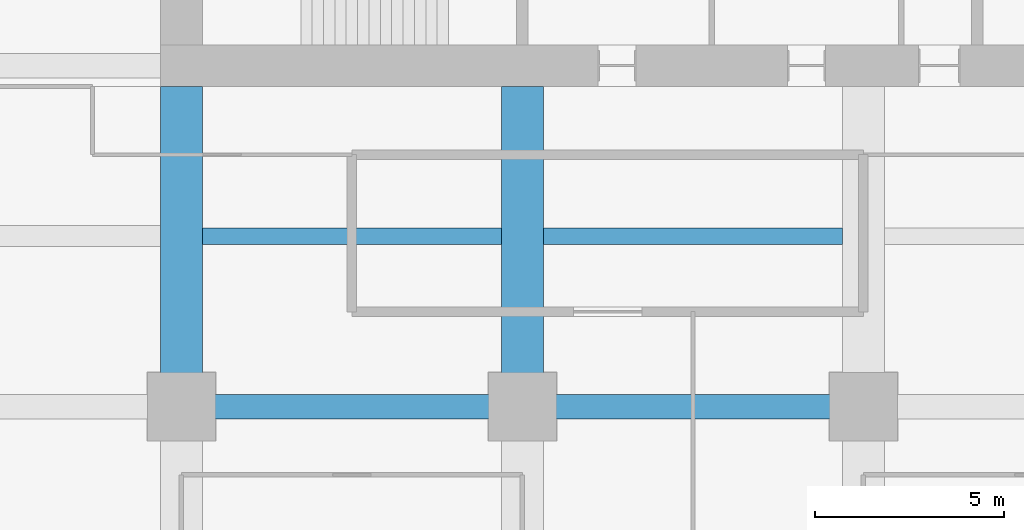
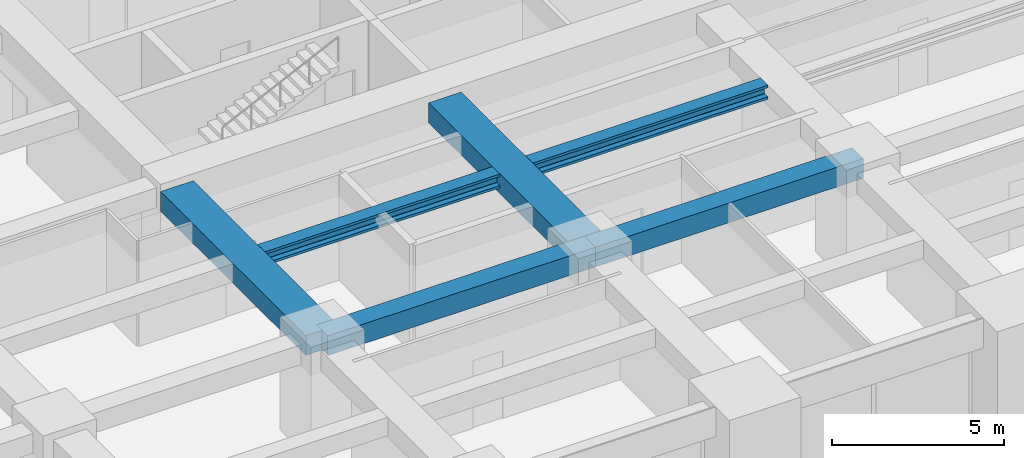
# One storey, part 8 of 39: 6 beams.
"""IFC4 building model written with IfcOpenShell, lengths in metres."""

from ifc_helpers import new_model, si_unit, direction, frame, origin, origin_2d, place, context, subcontext, project, spatial, rectangle, i_section, extrude, material, material_profile, profile_set, type_object, element, save


model = new_model("IFC4")

# Units and contexts
model_context = context("Model", 3, precision=1e-05, world=origin(), true_north=direction((0.0, 1.0)))
body_context = subcontext(model_context, "Body", "Model", "MODEL_VIEW")
ifc_project = project(units=[si_unit("LENGTHUNIT", "METRE"), si_unit("AREAUNIT", "SQUARE_METRE"), si_unit("VOLUMEUNIT", "CUBIC_METRE"), si_unit("PLANEANGLEUNIT", "RADIAN"), si_unit("MASSUNIT", "GRAM", prefix="KILO")], contexts=[model_context])

# Site, building, storey
site_placement = place(None, origin())
site = spatial("IfcSite", under=ifc_project, at=site_placement, CompositionType="ELEMENT")
building_placement = place(site_placement, origin())
building = spatial("IfcBuilding", under=site, at=building_placement, Name="Zorevar Civic Tower", CompositionType="ELEMENT")
storey_placement = place(building_placement, frame((0.0, 0.0, 125.0)))
storey = spatial("IfcBuildingStorey", under=building, at=storey_placement, Name="L30", CompositionType="ELEMENT", Elevation=125.0)

# Beams
ifc_material_1 = material(Name="Concrete C50/60", Category="concrete")
ifc_material_profile_1 = material_profile(ifc_material_1, rectangle(XDim=1.10009765625, YDim=0.699951171875, at=origin_2d()), Name="RC 1100x700")
ifc_profile_set_1 = profile_set([ifc_material_profile_1], Name="Concrete C50/60")
beam_type_1 = type_object("IfcBeamType", Name="Beam RC 1100x700", PredefinedType="BEAM", material=ifc_profile_set_1)
for number, where, z_axis, x_axis, name in (
    (1, (18.0, 9.0, 3.39990234375), (0.0, 1.0, 0.0), (-1.0, 0.0, 0.0), "Girder L31"),
    (2, (27.0, 9.0, 3.39990234375), (0.0, 1.0, 0.0), (-1.0, 0.0, 0.0), "Girder L31"),
):
    element("IfcBeam", number, at=place(storey_placement, frame(where, z_axis=z_axis, x_axis=x_axis)), inside=storey, type_object=beam_type_1, Name=name, PredefinedType="BEAM", context=body_context, shape_type="SweptSolid", body=[
        extrude(rectangle(XDim=1.10009765625, YDim=0.699951171875, at=origin_2d()), origin(), (0.0, 0.0, 1.0), 8.449951171875),
    ])
ifc_material_2 = material(Name="Concrete C50/60", Category="concrete")
ifc_material_profile_2 = material_profile(ifc_material_2, rectangle(XDim=0.64990234375, YDim=0.699951171875, at=origin_2d()), Name="RC 650x700")
ifc_profile_set_2 = profile_set([ifc_material_profile_2], Name="Concrete C50/60")
beam_type_2 = type_object("IfcBeamType", Name="Beam RC 650x700", PredefinedType="BEAM", material=ifc_profile_set_2)
for number, where, z_axis, x_axis, name in (
    (3, (18.0, 9.0, 3.39990234375), (1.0, 0.0, 0.0), (0.0, 1.0, 0.0), "Girder L31"),
    (4, (27.0, 9.0, 3.39990234375), (1.0, 0.0, 0.0), (0.0, 1.0, 0.0), "Girder L31"),
):
    element("IfcBeam", number, at=place(storey_placement, frame(where, z_axis=z_axis, x_axis=x_axis)), inside=storey, type_object=beam_type_2, Name=name, PredefinedType="BEAM", context=body_context, shape_type="SweptSolid", body=[
        extrude(rectangle(XDim=0.64990234375, YDim=0.699951171875, at=origin_2d()), origin(), (0.0, 0.0, 1.0), 9.0),
    ])
ifc_material_3 = material(Name="Steel S460M (HISTAR 460)", Category="steel")
ifc_material_profile_3 = material_profile(ifc_material_3, i_section(OverallWidth=0.431884765625, OverallDepth=0.498046875, WebThickness=0.0556640625, FlangeThickness=0.0888671875, FilletRadius=0.014892578125, at=origin_2d()), Name="HD 400x744")
ifc_profile_set_3 = profile_set([ifc_material_profile_3], Name="Steel S460M (HISTAR 460)")
beam_type_3 = type_object("IfcBeamType", Name="Core bay beam HD 400x744", PredefinedType="BEAM", material=ifc_profile_set_3)
for number, where, z_axis, x_axis, name in (
    (5, (18.550048828125, 13.5, 3.5009765625), (1.0, 0.0, 0.0), (0.0, 1.0, 0.0), "Secondary beam L31"),
    (6, (27.550048828125, 13.5, 3.5009765625), (1.0, 0.0, 0.0), (0.0, 1.0, 0.0), "Secondary beam L31"),
):
    element("IfcBeam", number, at=place(storey_placement, frame(where, z_axis=z_axis, x_axis=x_axis)), inside=storey, type_object=beam_type_3, Name=name, PredefinedType="BEAM", context=body_context, shape_type="SweptSolid", body=[
        extrude(i_section(OverallWidth=0.431884765625, OverallDepth=0.498046875, WebThickness=0.0556640625, FlangeThickness=0.0888671875, FilletRadius=0.014892578125, at=origin_2d()), origin(), (0.0, 0.0, 1.0), 7.89990234375),
    ])

save(model, "model.ifc")
